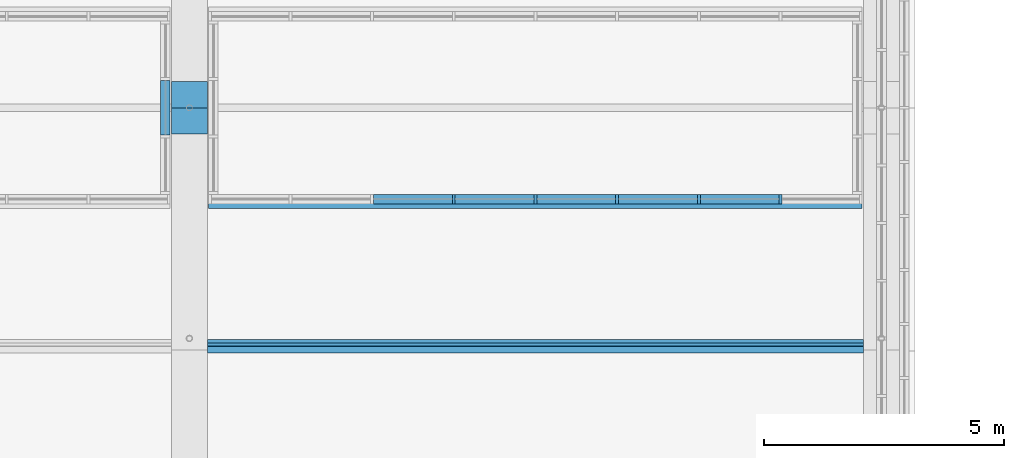
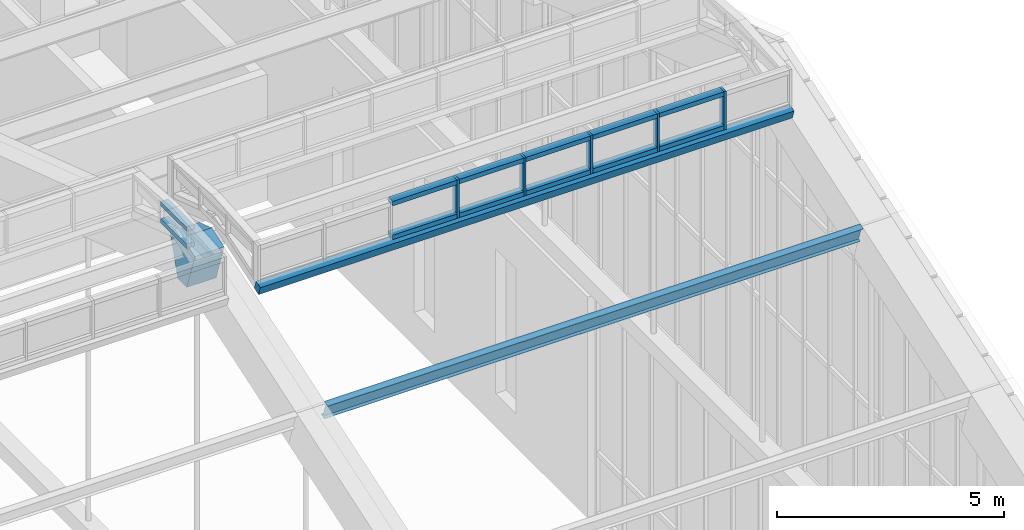
# One storey, part 76 of 149: 20 members, 2 elements without a shape of their own.
"""IFC4 building model written with IfcOpenShell, lengths in metres."""

from ifc_helpers import new_model, si_unit, direction, frame, origin, origin_2d, place, context, subcontext, project, spatial, polyline, rectangle, i_section, outline, extrude, material, material_profile, profile_set, type_object, element, aggregate, save


model = new_model("IFC4")

# Units and contexts
model_context = context("Model", 3, precision=1e-05, world=origin(), true_north=direction((0.0, 1.0)))
body_context = subcontext(model_context, "Body", "Model", "MODEL_VIEW")
ifc_project = project(units=[si_unit("LENGTHUNIT", "METRE"), si_unit("AREAUNIT", "SQUARE_METRE"), si_unit("VOLUMEUNIT", "CUBIC_METRE"), si_unit("PLANEANGLEUNIT", "RADIAN"), si_unit("MASSUNIT", "GRAM", prefix="KILO")], contexts=[model_context])

# Site, building, storey
site_placement = place(None, origin())
site = spatial("IfcSite", under=ifc_project, at=site_placement, CompositionType="ELEMENT")
building_placement = place(site_placement, origin())
building = spatial("IfcBuilding", under=site, at=building_placement, Name="Alderwick Market Hall", CompositionType="ELEMENT")
storey_placement = place(building_placement, frame((0.0, 0.0, 9.60009765625)))
storey = spatial("IfcBuildingStorey", under=building, at=storey_placement, Name="L01", CompositionType="ELEMENT", Elevation=9.60009765625)

# Curtain wall, members
ifc_material_1 = material(Name="Aluminium", Category="aluminium")
curtain_wall_type = type_object("IfcCurtainWallType", Name="R Curtain Wall Frame", PredefinedType="NOTDEFINED", material=ifc_material_1)
curtain_wall_1_placement = place(storey_placement, origin())
curtain_wall_1 = element("IfcCurtainWall", 1, at=curtain_wall_1_placement, inside=storey, type_object=curtain_wall_type, Name="Curtain wall LCW S7", PredefinedType="NOTDEFINED")
ifc_material_profile_1 = material_profile(ifc_material_1, rectangle(XDim=0.199951171875, YDim=0.06005859375, at=origin_2d()), Name="AL 60x200")
ifc_profile_set_1 = profile_set([ifc_material_profile_1], Name="Aluminium")
member_type_1 = type_object("IfcMemberType", Name="R CW Mullion 60x200", PredefinedType="MULLION", material=ifc_profile_set_1)
member_1_placement = place(storey_placement, frame((142.300048828125, 77.300048828125, 16.670166015625), z_axis=(0.0, 0.0, 1.0), x_axis=(0.0, 1.0, 0.0)))
member_1 = element("IfcMember", 2, at=member_1_placement, type_object=member_type_1, Name="LCW S7 mullion 4", PredefinedType="MULLION", context=body_context, shape_type="SweptSolid", body=[
    extrude(rectangle(XDim=0.199951171875, YDim=0.06005859375, at=origin_2d()), origin(), (0.0, 0.0, 1.0), 1.02978515625),
])
member_2_placement = place(storey_placement, frame((144.0, 77.300048828125, 16.670166015625), z_axis=(0.0, 0.0, 1.0), x_axis=(0.0, 1.0, 0.0)))
member_2 = element("IfcMember", 3, at=member_2_placement, type_object=member_type_1, Name="LCW S7 mullion 5", PredefinedType="MULLION", context=body_context, shape_type="SweptSolid", body=[
    extrude(rectangle(XDim=0.199951171875, YDim=0.06005859375, at=origin_2d()), origin(), (0.0, 0.0, 1.0), 1.02978515625),
])
member_3_placement = place(storey_placement, frame((145.699951171875, 77.300048828125, 16.670166015625), z_axis=(0.0, 0.0, 1.0), x_axis=(0.0, 1.0, 0.0)))
member_3 = element("IfcMember", 4, at=member_3_placement, type_object=member_type_1, Name="LCW S7 mullion 6", PredefinedType="MULLION", context=body_context, shape_type="SweptSolid", body=[
    extrude(rectangle(XDim=0.199951171875, YDim=0.06005859375, at=origin_2d()), origin(), (0.0, 0.0, 1.0), 1.02978515625),
])
member_4_placement = place(storey_placement, frame((147.39990234375, 77.300048828125, 16.670166015625), z_axis=(0.0, 0.0, 1.0), x_axis=(0.0, 1.0, 0.0)))
member_4 = element("IfcMember", 5, at=member_4_placement, type_object=member_type_1, Name="LCW S7 mullion 7", PredefinedType="MULLION", context=body_context, shape_type="SweptSolid", body=[
    extrude(rectangle(XDim=0.199951171875, YDim=0.06005859375, at=origin_2d()), origin(), (0.0, 0.0, 1.0), 1.02978515625),
])
member_5_placement = place(storey_placement, frame((149.10009765625, 77.300048828125, 16.670166015625), z_axis=(0.0, 0.0, 1.0), x_axis=(0.0, 1.0, 0.0)))
member_5 = element("IfcMember", 6, at=member_5_placement, type_object=member_type_1, Name="LCW S7 mullion 8", PredefinedType="MULLION", context=body_context, shape_type="SweptSolid", body=[
    extrude(rectangle(XDim=0.199951171875, YDim=0.06005859375, at=origin_2d()), origin(), (0.0, 0.0, 1.0), 1.02978515625),
])

curtain_wall_2_placement = place(storey_placement, origin())
curtain_wall_2 = element("IfcCurtainWall", 7, at=curtain_wall_2_placement, inside=storey, type_object=curtain_wall_type, Name="Curtain wall LCW E6", PredefinedType="NOTDEFINED")
ifc_material_profile_2 = material_profile(ifc_material_1, rectangle(XDim=0.199951171875, YDim=0.1201171875, at=origin_2d()), Name="AL 120x200")
ifc_profile_set_2 = profile_set([ifc_material_profile_2], Name="Aluminium")
member_type_2 = type_object("IfcMemberType", Name="R CW Transom 120x200", PredefinedType="USERDEFINED", material=ifc_profile_set_2)
member_6_placement = place(storey_placement, frame((136.300048828125, 78.6298828125, 17.173583984375), z_axis=(0.0, 1.0, 0.0), x_axis=(-1.0, 0.0, 0.0)))
member_6 = element("IfcMember", 8, at=member_6_placement, type_object=member_type_2, Name="LCW E6 sill transom 2", ObjectType="TRANSOM", PredefinedType="USERDEFINED", context=body_context, shape_type="SweptSolid", body=[
    extrude(rectangle(XDim=0.199951171875, YDim=0.1201171875, at=origin_2d()), origin(), (0.0, 0.0, 1.0), 1.14013671875),
])
member_7_placement = place(storey_placement, frame((136.300048828125, 78.6298828125, 17.639892578125), z_axis=(0.0, 1.0, 0.0), x_axis=(-1.0, 0.0, 0.0)))
member_7 = element("IfcMember", 9, at=member_7_placement, type_object=member_type_2, Name="LCW E6 head transom 2", ObjectType="TRANSOM", PredefinedType="USERDEFINED", context=body_context, shape_type="SweptSolid", body=[
    extrude(rectangle(XDim=0.199951171875, YDim=0.1201171875, at=origin_2d()), origin(), (0.0, 0.0, 1.0), 1.14013671875),
])
aggregate(curtain_wall_2, [member_6, member_7])

# Member
member_8_placement = place(storey_placement, frame((140.6298828125, 77.300048828125, 16.730224609375), z_axis=(1.0, 0.0, 0.0), x_axis=(0.0, 1.0, 0.0)))
member_8 = element("IfcMember", 10, at=member_8_placement, type_object=member_type_2, Name="LCW S7 sill transom 3", ObjectType="TRANSOM", PredefinedType="USERDEFINED", context=body_context, shape_type="SweptSolid", body=[
    extrude(rectangle(XDim=0.199951171875, YDim=0.1201171875, at=origin_2d()), origin(), (0.0, 0.0, 1.0), 1.64013671875),
])

member_9_placement = place(storey_placement, frame((140.6298828125, 77.300048828125, 17.639892578125), z_axis=(1.0, 0.0, 0.0), x_axis=(0.0, 1.0, 0.0)))
member_9 = element("IfcMember", 11, at=member_9_placement, type_object=member_type_2, Name="LCW S7 head transom 3", ObjectType="TRANSOM", PredefinedType="USERDEFINED", context=body_context, shape_type="SweptSolid", body=[
    extrude(rectangle(XDim=0.199951171875, YDim=0.1201171875, at=origin_2d()), origin(), (0.0, 0.0, 1.0), 1.64013671875),
])

member_10_placement = place(storey_placement, frame((142.330078125, 77.300048828125, 16.730224609375), z_axis=(1.0, 0.0, 0.0), x_axis=(0.0, 1.0, 0.0)))
member_10 = element("IfcMember", 12, at=member_10_placement, type_object=member_type_2, Name="LCW S7 sill transom 4", ObjectType="TRANSOM", PredefinedType="USERDEFINED", context=body_context, shape_type="SweptSolid", body=[
    extrude(rectangle(XDim=0.199951171875, YDim=0.1201171875, at=origin_2d()), origin(), (0.0, 0.0, 1.0), 1.639892578125),
])

member_11_placement = place(storey_placement, frame((142.330078125, 77.300048828125, 17.639892578125), z_axis=(1.0, 0.0, 0.0), x_axis=(0.0, 1.0, 0.0)))
member_11 = element("IfcMember", 13, at=member_11_placement, type_object=member_type_2, Name="LCW S7 head transom 4", ObjectType="TRANSOM", PredefinedType="USERDEFINED", context=body_context, shape_type="SweptSolid", body=[
    extrude(rectangle(XDim=0.199951171875, YDim=0.1201171875, at=origin_2d()), origin(), (0.0, 0.0, 1.0), 1.639892578125),
])

member_12_placement = place(storey_placement, frame((144.030029296875, 77.300048828125, 16.730224609375), z_axis=(1.0, 0.0, 0.0), x_axis=(0.0, 1.0, 0.0)))
member_12 = element("IfcMember", 14, at=member_12_placement, type_object=member_type_2, Name="LCW S7 sill transom 5", ObjectType="TRANSOM", PredefinedType="USERDEFINED", context=body_context, shape_type="SweptSolid", body=[
    extrude(rectangle(XDim=0.199951171875, YDim=0.1201171875, at=origin_2d()), origin(), (0.0, 0.0, 1.0), 1.639892578125),
])

member_13_placement = place(storey_placement, frame((144.030029296875, 77.300048828125, 17.639892578125), z_axis=(1.0, 0.0, 0.0), x_axis=(0.0, 1.0, 0.0)))
member_13 = element("IfcMember", 15, at=member_13_placement, type_object=member_type_2, Name="LCW S7 head transom 5", ObjectType="TRANSOM", PredefinedType="USERDEFINED", context=body_context, shape_type="SweptSolid", body=[
    extrude(rectangle(XDim=0.199951171875, YDim=0.1201171875, at=origin_2d()), origin(), (0.0, 0.0, 1.0), 1.639892578125),
])

member_14_placement = place(storey_placement, frame((145.72998046875, 77.300048828125, 16.730224609375), z_axis=(1.0, 0.0, 0.0), x_axis=(0.0, 1.0, 0.0)))
member_14 = element("IfcMember", 16, at=member_14_placement, type_object=member_type_2, Name="LCW S7 sill transom 6", ObjectType="TRANSOM", PredefinedType="USERDEFINED", context=body_context, shape_type="SweptSolid", body=[
    extrude(rectangle(XDim=0.199951171875, YDim=0.1201171875, at=origin_2d()), origin(), (0.0, 0.0, 1.0), 1.64013671875),
])

member_15_placement = place(storey_placement, frame((145.72998046875, 77.300048828125, 17.639892578125), z_axis=(1.0, 0.0, 0.0), x_axis=(0.0, 1.0, 0.0)))
member_15 = element("IfcMember", 17, at=member_15_placement, type_object=member_type_2, Name="LCW S7 head transom 6", ObjectType="TRANSOM", PredefinedType="USERDEFINED", context=body_context, shape_type="SweptSolid", body=[
    extrude(rectangle(XDim=0.199951171875, YDim=0.1201171875, at=origin_2d()), origin(), (0.0, 0.0, 1.0), 1.64013671875),
])

member_16_placement = place(storey_placement, frame((147.429931640625, 77.300048828125, 16.730224609375), z_axis=(1.0, 0.0, 0.0), x_axis=(0.0, 1.0, 0.0)))
member_16 = element("IfcMember", 18, at=member_16_placement, type_object=member_type_2, Name="LCW S7 sill transom 7", ObjectType="TRANSOM", PredefinedType="USERDEFINED", context=body_context, shape_type="SweptSolid", body=[
    extrude(rectangle(XDim=0.199951171875, YDim=0.1201171875, at=origin_2d()), origin(), (0.0, 0.0, 1.0), 1.64013671875),
])

member_17_placement = place(storey_placement, frame((147.429931640625, 77.300048828125, 17.639892578125), z_axis=(1.0, 0.0, 0.0), x_axis=(0.0, 1.0, 0.0)))
member_17 = element("IfcMember", 19, at=member_17_placement, type_object=member_type_2, Name="LCW S7 head transom 7", ObjectType="TRANSOM", PredefinedType="USERDEFINED", context=body_context, shape_type="SweptSolid", body=[
    extrude(rectangle(XDim=0.199951171875, YDim=0.1201171875, at=origin_2d()), origin(), (0.0, 0.0, 1.0), 1.64013671875),
])

ifc_material_2 = material(Name="Concrete 5000 psi (f'c 35 MPa)", Category="concrete")
ifc_material_profile_3 = material_profile(ifc_material_2, outline(polyline([(-0.199951171875, 0.0), (-0.5478515625, 1.04345703125), (0.0, 1.22607421875), (0.5478515625, 1.04345703125), (0.199951171875, 0.0), (-0.199951171875, 0.0)])), Name="RC crown knuckle")
ifc_profile_set_3 = profile_set([ifc_material_profile_3], Name="Concrete 5000 psi (f'c 35 MPa)")
member_type_3 = type_object("IfcMemberType", Name="R Crown Knuckle 750", PredefinedType="MEMBER", material=ifc_profile_set_3)
member_18_placement = place(storey_placement, frame((136.425048828125, 79.199951171875, 15.764404296875), z_axis=(1.0, 0.0, 0.0), x_axis=(0.0, 1.0, 0.0)))
element("IfcMember", 20, at=member_18_placement, inside=storey, type_object=member_type_3, Name="Crown knuckle 7", PredefinedType="MEMBER", context=body_context, shape_type="SweptSolid", body=[
    extrude(outline(polyline([(-0.199951171875, 0.0), (-0.5478515625, 1.04345703125), (0.0, 1.22607421875), (0.5478515625, 1.04345703125), (0.199951171875, 0.0), (-0.199951171875, 0.0)])), origin(), (0.0, 0.0, 1.0), 0.75),
])

ifc_material_3 = material(Name="Steel ASTM A572 Grade 50", Category="steel")
ifc_material_profile_4 = material_profile(ifc_material_3, rectangle(XDim=0.199951171875, YDim=0.25, at=origin_2d()), Name="Steel plate curb 200x250")
ifc_profile_set_4 = profile_set([ifc_material_profile_4], Name="Steel ASTM A572 Grade 50")
member_type_4 = type_object("IfcMemberType", Name="R Lantern Curb 200x250", PredefinedType="MEMBER", material=ifc_profile_set_4)
member_19_placement = place(storey_placement, frame((137.199951171875, 77.235107421875, 16.551513671875), z_axis=(1.0, 0.0, 0.0), x_axis=(0.0, 0.948683297073, 0.316227768949)))
member_19 = element("IfcMember", 21, at=member_19_placement, type_object=member_type_4, Name="Lantern curb S7", PredefinedType="MEMBER", context=body_context, shape_type="SweptSolid", body=[
    extrude(rectangle(XDim=0.199951171875, YDim=0.25, at=origin_2d()), origin(), (0.0, 0.0, 1.0), 13.60009765625),
])

aggregate(curtain_wall_1, [member_1, member_2, member_3, member_4, member_5, member_8, member_9, member_10, member_11, member_12, member_13, member_14, member_15, member_16, member_17, member_19])

ifc_material_4 = material(Name="Steel ASTM A992 Grade 50", Category="steel")
ifc_material_profile_5 = material_profile(ifc_material_4, i_section(OverallWidth=0.153076171875, OverallDepth=0.455078125, WebThickness=0.008056640625, FlangeThickness=0.01318359375, at=origin_2d()), Name="W18x40")
ifc_profile_set_5 = profile_set([ifc_material_profile_5], Name="Steel ASTM A992 Grade 50")
member_type_5 = type_object("IfcMemberType", Name="R Purlin W18x40", PredefinedType="PURLIN", material=ifc_profile_set_5)
member_20_placement = place(storey_placement, frame((137.175048828125, 74.236572265625, 15.08984375), z_axis=(1.0, 0.0, 0.0), x_axis=(0.0, 0.948683297073, 0.316227768949)))
element("IfcMember", 22, at=member_20_placement, inside=storey, type_object=member_type_5, Name="Roof purlin 6.7", PredefinedType="PURLIN", context=body_context, shape_type="SweptSolid", body=[
    extrude(i_section(OverallWidth=0.153076171875, OverallDepth=0.455078125, WebThickness=0.008056640625, FlangeThickness=0.01318359375, at=origin_2d()), origin(), (0.0, 0.0, 1.0), 13.64990234375),
])

save(model, "model.ifc")
